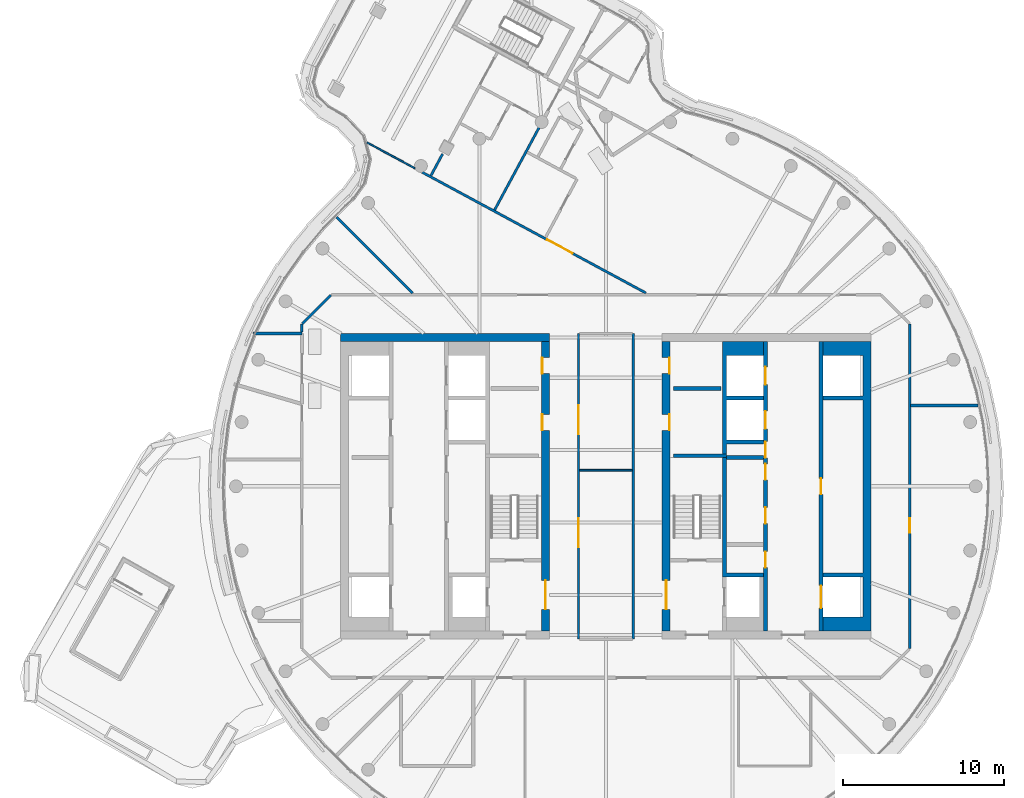
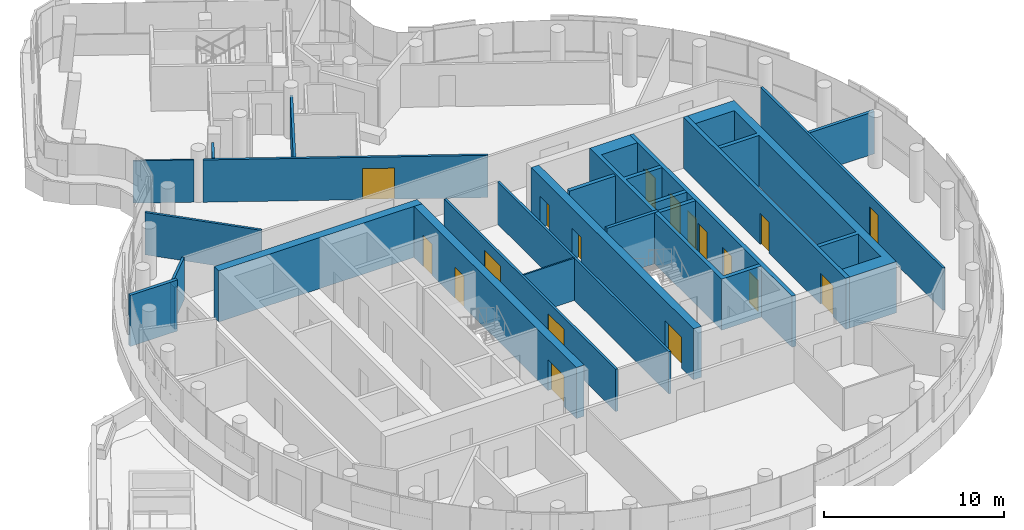
# One storey, part 15 of 22: 23 walls, 18 doors, 18 openings.
"""IFC4 building model written with IfcOpenShell, lengths in metres."""

from ifc_helpers import new_model, si_unit, direction, frame, frame_2d, origin, place, context, subcontext, project, spatial, polyline, rectangle, outline, extrude, material, layer, layer_set, type_object, element, fill, save


model = new_model("IFC4")

# Units and contexts
model_context = context("Model", 3, precision=1e-05, world=origin(), true_north=direction((0.0, 1.0)))
body_context = subcontext(model_context, "Body", "Model", "MODEL_VIEW")
ifc_project = project(units=[si_unit("LENGTHUNIT", "METRE"), si_unit("AREAUNIT", "SQUARE_METRE"), si_unit("VOLUMEUNIT", "CUBIC_METRE"), si_unit("PLANEANGLEUNIT", "RADIAN"), si_unit("MASSUNIT", "GRAM", prefix="KILO")], contexts=[model_context])

# Site, building, storey
site_placement = place(None, origin())
site = spatial("IfcSite", under=ifc_project, at=site_placement, CompositionType="ELEMENT")
building_placement = place(site_placement, origin())
building = spatial("IfcBuilding", under=site, at=building_placement, Name="Tamarind Cross Interchange Tower", CompositionType="ELEMENT")
storey_placement = place(building_placement, frame((0.0, 0.0, 256.800048828125)))
storey = spatial("IfcBuildingStorey", under=building, at=storey_placement, Name="L65", CompositionType="ELEMENT", Elevation=256.800048828125)

# Walls
ifc_material_1 = material(Name="Concrete C40", Category="concrete")
ifc_layer_1 = layer(ifc_material_1, 0.199951171875)
ifc_layer_set_1 = layer_set([ifc_layer_1], Name="Concrete C40")
wall_type_1 = type_object("IfcWallType", Name="Balcony and garden door wall", PredefinedType="SOLIDWALL", material=ifc_layer_set_1)
wall_1_placement = place(storey_placement, frame((-18.89990234375, 9.5, 0.0), z_axis=(0.0, 0.0, 1.0), x_axis=(-1.0, 0.0, 0.0)))
element("IfcWall", 1, at=wall_1_placement, inside=storey, type_object=wall_type_1, Name="EXW-L65-WG-L65-NNa-R0", PredefinedType="SOLIDWALL", context=body_context, shape_type="SweptSolid", body=[
    extrude(rectangle(XDim=3.033447265625, YDim=0.199951171875, at=frame_2d((1.5166015625, 0.0))), origin(), (0.0, 0.0, 1.0), 3.4599609375),
])
ifc_material_2 = material(Name="Concrete C50", Category="concrete")
ifc_layer_2 = layer(ifc_material_2, 0.5)
ifc_layer_set_2 = layer_set([ifc_layer_2], Name="Concrete C50")
wall_type_2 = type_object("IfcWallType", Name="Core wall 500 mm Concrete C50", PredefinedType="SHEAR", material=ifc_layer_set_2)
wall_2_placement = place(storey_placement, frame((-16.5, 9.25, 0.0), z_axis=(0.0, 0.0, 1.0), x_axis=(1.0, 0.0, 0.0)))
element("IfcWall", 2, at=wall_2_placement, inside=storey, type_object=wall_type_2, Name="Core wall CWL-L65-W-NE", PredefinedType="SHEAR", context=body_context, shape_type="SweptSolid", body=[
    extrude(rectangle(XDim=13.0, YDim=0.5, at=frame_2d((6.5, 0.0))), origin(), (0.0, 0.0, 1.0), 3.4599609375),
])

# Wall, openings, doors
wall_3_placement = place(storey_placement, frame((-3.75, -9.0, 0.0), z_axis=(0.0, 0.0, 1.0), x_axis=(0.0, 1.0, 0.0)))
wall_3 = element("IfcWall", 3, at=wall_3_placement, inside=storey, type_object=wall_type_2, Name="Core wall CWL-L65-W-IN", PredefinedType="SHEAR", context=body_context, shape_type="SweptSolid", body=[
    extrude(rectangle(XDim=18.0, YDim=0.5, at=frame_2d((9.0, 0.0))), origin(), (0.0, 0.0, 1.0), 3.4599609375),
])
opening_1_placement = place(wall_3_placement, frame((1.35009765625, 0.0, 0.0)))
opening_1 = element("IfcOpeningElement", 4, at=opening_1_placement, cuts=wall_3, Name="Opening DCW4", PredefinedType="OPENING", context=body_context, shape_type="SweptSolid", body=[
    extrude(rectangle(XDim=1.800048828125, YDim=2.10009765625, at=frame_2d((0.89990234375, 1.050048828125))), frame((0.0, 0.260009765625, 0.0), z_axis=(0.0, -1.0, 0.0), x_axis=(1.0, 0.0, 0.0)), (0.0, 0.0, 1.0), 0.52001953125),
])
opening_2_placement = place(wall_3_placement, frame((12.4775390625, 0.0, 0.0)))
opening_2 = element("IfcOpeningElement", 5, at=opening_2_placement, cuts=wall_3, Name="Opening DCW5", PredefinedType="OPENING", context=body_context, shape_type="SweptSolid", body=[
    extrude(rectangle(XDim=1.0, YDim=2.10009765625, at=frame_2d((0.5, 1.050048828125))), frame((0.0, 0.260009765625, 0.0), z_axis=(0.0, -1.0, 0.0), x_axis=(1.0, 0.0, 0.0)), (0.0, 0.0, 1.0), 0.52001953125),
])
opening_3_placement = place(wall_3_placement, frame((16.00244140625, 0.0, 0.0)))
opening_3 = element("IfcOpeningElement", 6, at=opening_3_placement, cuts=wall_3, Name="Opening DCW5", PredefinedType="OPENING", context=body_context, shape_type="SweptSolid", body=[
    extrude(rectangle(XDim=1.0, YDim=2.10009765625, at=frame_2d((0.5, 1.050048828125))), frame((0.0, 0.260009765625, 0.0), z_axis=(0.0, -1.0, 0.0), x_axis=(1.0, 0.0, 0.0)), (0.0, 0.0, 1.0), 0.52001953125),
])
ifc_material_3 = material(Name="Steel, fire-resisting", Category="steel")
door_type_1 = type_object("IfcDoorType", Name="Core fire door 1000 x 2100 FD90", OperationType="SINGLE_SWING_LEFT", PredefinedType="DOOR", material=ifc_material_3)
door_1_placement = place(opening_2_placement, origin())
door_1 = element("IfcDoor", 7, at=door_1_placement, inside=storey, type_object=door_type_1, Name="L65 housekeeping pantry door", OperationType="SINGLE_SWING_LEFT", OverallHeight=2.10009765625, OverallWidth=1.0, PredefinedType="DOOR", context=body_context, shape_type="SweptSolid", body=[
    extrude(rectangle(XDim=1.0, YDim=2.10009765625, at=frame_2d((0.5, 1.050048828125))), frame((0.0, 0.22509765625, 0.0), z_axis=(0.0, -1.0, 0.0), x_axis=(1.0, 0.0, 0.0)), (0.0, 0.0, 1.0), 0.050048828125),
])
fill(opening_2, door_1)
door_2_placement = place(opening_3_placement, origin())
door_2 = element("IfcDoor", 8, at=door_2_placement, inside=storey, type_object=door_type_1, Name="L65 linen press door", OperationType="SINGLE_SWING_LEFT", OverallHeight=2.10009765625, OverallWidth=1.0, PredefinedType="DOOR", context=body_context, shape_type="SweptSolid", body=[
    extrude(rectangle(XDim=1.0, YDim=2.10009765625, at=frame_2d((0.5, 1.050048828125))), frame((0.0, 0.22509765625, 0.0), z_axis=(0.0, -1.0, 0.0), x_axis=(1.0, 0.0, 0.0)), (0.0, 0.0, 1.0), 0.050048828125),
])
fill(opening_3, door_2)
door_type_2 = type_object("IfcDoorType", Name="Core fire door 1800 x 2100 FD90", OperationType="SINGLE_SWING_LEFT", PredefinedType="DOOR", material=ifc_material_3)
door_3_placement = place(opening_1_placement, origin())
door_3 = element("IfcDoor", 9, at=door_3_placement, inside=storey, type_object=door_type_2, Name="L65 firefighting lobby door", OperationType="SINGLE_SWING_LEFT", OverallHeight=2.10009765625, OverallWidth=1.800048828125, PredefinedType="DOOR", context=body_context, shape_type="SweptSolid", body=[
    extrude(rectangle(XDim=1.800048828125, YDim=2.10009765625, at=frame_2d((0.89990234375, 1.050048828125))), frame((0.0, 0.02490234375, 0.0), z_axis=(0.0, -1.0, 0.0), x_axis=(1.0, 0.0, 0.0)), (0.0, 0.0, 1.0), 0.050048828125),
])
fill(opening_1, door_3)

# Wall
wall_4_placement = place(storey_placement, origin())
element("IfcWall", 10, at=wall_4_placement, inside=storey, type_object=wall_type_2, Name="Core wall CWL-L65-E-A", PredefinedType="SHEAR", context=body_context, shape_type="SweptSolid", body=[
    extrude(outline(polyline([(13.5, -8.125), (13.5, -9.0), (16.0, -9.0), (16.5, -9.0), (16.5, 9.0), (16.0, 9.0), (13.5, 9.0), (13.5, 8.125), (16.0, 8.125), (16.0, 5.625), (13.5, 5.625), (13.5, 5.375), (16.0, 5.375), (16.0, -5.375), (13.5, -5.375), (13.5, -5.625), (16.0, -5.625), (16.0, -8.125), (13.5, -8.125)])), origin(), (0.0, 0.0, 1.0), 3.4599609375),
])

# Wall, openings, doors
wall_5_placement = place(storey_placement, frame((3.75, -9.0, 0.0), z_axis=(0.0, 0.0, 1.0), x_axis=(0.0, 1.0, 0.0)))
wall_5 = element("IfcWall", 11, at=wall_5_placement, inside=storey, type_object=wall_type_2, Name="Core wall CWL-L65-E-IN", PredefinedType="SHEAR", context=body_context, shape_type="SweptSolid", body=[
    extrude(rectangle(XDim=18.0, YDim=0.5, at=frame_2d((9.0, 0.0))), origin(), (0.0, 0.0, 1.0), 3.4599609375),
])
opening_4_placement = place(wall_5_placement, frame((1.35009765625, 0.0, 0.0)))
opening_4 = element("IfcOpeningElement", 12, at=opening_4_placement, cuts=wall_5, Name="Opening DCE4", PredefinedType="OPENING", context=body_context, shape_type="SweptSolid", body=[
    extrude(rectangle(XDim=1.800048828125, YDim=2.10009765625, at=frame_2d((0.89990234375, 1.050048828125))), frame((0.0, 0.260009765625, 0.0), z_axis=(0.0, -1.0, 0.0), x_axis=(1.0, 0.0, 0.0)), (0.0, 0.0, 1.0), 0.52001953125),
])
opening_5_placement = place(wall_5_placement, frame((12.4775390625, 0.0, 0.0)))
opening_5 = element("IfcOpeningElement", 13, at=opening_5_placement, cuts=wall_5, Name="Opening DCE5", PredefinedType="OPENING", context=body_context, shape_type="SweptSolid", body=[
    extrude(rectangle(XDim=1.0, YDim=2.10009765625, at=frame_2d((0.5, 1.050048828125))), frame((0.0, 0.260009765625, 0.0), z_axis=(0.0, -1.0, 0.0), x_axis=(1.0, 0.0, 0.0)), (0.0, 0.0, 1.0), 0.52001953125),
])
opening_6_placement = place(wall_5_placement, frame((16.00244140625, 0.0, 0.0)))
opening_6 = element("IfcOpeningElement", 14, at=opening_6_placement, cuts=wall_5, Name="Opening DCE5", PredefinedType="OPENING", context=body_context, shape_type="SweptSolid", body=[
    extrude(rectangle(XDim=1.0, YDim=2.10009765625, at=frame_2d((0.5, 1.050048828125))), frame((0.0, 0.260009765625, 0.0), z_axis=(0.0, -1.0, 0.0), x_axis=(1.0, 0.0, 0.0)), (0.0, 0.0, 1.0), 0.52001953125),
])
door_4_placement = place(opening_5_placement, origin())
door_4 = element("IfcDoor", 15, at=door_4_placement, inside=storey, type_object=door_type_1, Name="L65 housekeeping pantry door", OperationType="SINGLE_SWING_LEFT", OverallHeight=2.10009765625, OverallWidth=1.0, PredefinedType="DOOR", context=body_context, shape_type="SweptSolid", body=[
    extrude(rectangle(XDim=1.0, YDim=2.10009765625, at=frame_2d((0.5, 1.050048828125))), frame((0.0, -0.1748046875, 0.0), z_axis=(0.0, -1.0, 0.0), x_axis=(1.0, 0.0, 0.0)), (0.0, 0.0, 1.0), 0.050048828125),
])
fill(opening_5, door_4)
door_5_placement = place(opening_6_placement, origin())
door_5 = element("IfcDoor", 16, at=door_5_placement, inside=storey, type_object=door_type_1, Name="L65 linen press door", OperationType="SINGLE_SWING_LEFT", OverallHeight=2.10009765625, OverallWidth=1.0, PredefinedType="DOOR", context=body_context, shape_type="SweptSolid", body=[
    extrude(rectangle(XDim=1.0, YDim=2.10009765625, at=frame_2d((0.5, 1.050048828125))), frame((0.0, -0.1748046875, 0.0), z_axis=(0.0, -1.0, 0.0), x_axis=(1.0, 0.0, 0.0)), (0.0, 0.0, 1.0), 0.050048828125),
])
fill(opening_6, door_5)
door_6_placement = place(opening_4_placement, origin())
door_6 = element("IfcDoor", 17, at=door_6_placement, inside=storey, type_object=door_type_2, Name="L65 firefighting lobby door", OperationType="SINGLE_SWING_LEFT", OverallHeight=2.10009765625, OverallWidth=1.800048828125, PredefinedType="DOOR", context=body_context, shape_type="SweptSolid", body=[
    extrude(rectangle(XDim=1.800048828125, YDim=2.10009765625, at=frame_2d((0.89990234375, 1.050048828125))), frame((0.0, 0.02490234375, 0.0), z_axis=(0.0, -1.0, 0.0), x_axis=(1.0, 0.0, 0.0)), (0.0, 0.0, 1.0), 0.050048828125),
])
fill(opening_4, door_6)

# Walls
ifc_layer_3 = layer(ifc_material_2, 0.199951171875)
ifc_layer_set_3 = layer_set([ifc_layer_3], Name="Concrete C50")
wall_type_3 = type_object("IfcWallType", Name="Core web wall 200 mm Concrete C50", PredefinedType="SHEAR", material=ifc_layer_set_3)
wall_6_placement = place(storey_placement, frame((7.5, 1.89990234375, 0.0), z_axis=(0.0, 0.0, 1.0), x_axis=(-1.0, 0.0, 0.0)))
element("IfcWall", 18, at=wall_6_placement, inside=storey, type_object=wall_type_3, Name="Core wall CWL-L65-E-BD", PredefinedType="SHEAR", context=body_context, shape_type="SweptSolid", body=[
    extrude(rectangle(XDim=3.300048828125, YDim=0.199951171875, at=frame_2d((1.64990234375, 0.0))), origin(), (0.0, 0.0, 1.0), 3.4599609375),
])
ifc_layer_4 = layer(ifc_material_2, 0.25)
ifc_layer_set_4 = layer_set([ifc_layer_4], Name="Concrete C50")
wall_type_4 = type_object("IfcWallType", Name="Core web wall 250 mm Concrete C50", PredefinedType="SHEAR", material=ifc_layer_set_4)
wall_7_placement = place(storey_placement, origin())
element("IfcWall", 19, at=wall_7_placement, inside=storey, type_object=wall_type_4, Name="Core wall CWL-L65-E-BN", PredefinedType="SHEAR", context=body_context, shape_type="SweptSolid", body=[
    extrude(outline(polyline([(9.800048828125, -5.375), (7.5, -5.375), (7.5, 2.625), (9.800048828125, 2.625), (9.800048828125, 2.875), (7.5, 2.875), (7.5, 5.375), (9.800048828125, 5.375), (9.800048828125, 5.625), (7.5, 5.625), (7.5, 8.125), (9.800048828125, 8.125), (9.800048828125, 9.0), (7.5, 9.0), (7.25, 9.0), (7.25, -5.625), (7.5, -5.625), (9.800048828125, -5.625), (9.800048828125, -5.375)])), origin(), (0.0, 0.0, 1.0), 3.4599609375),
])

# Wall, openings, doors
wall_8_placement = place(storey_placement, frame((13.375, -9.0, 0.0), z_axis=(0.0, 0.0, 1.0), x_axis=(0.0, 1.0, 0.0)))
wall_8 = element("IfcWall", 20, at=wall_8_placement, inside=storey, type_object=wall_type_4, Name="Core wall CWL-L65-E-LA", PredefinedType="SHEAR", context=body_context, shape_type="SweptSolid", body=[
    extrude(rectangle(XDim=18.0, YDim=0.25, at=frame_2d((9.0, 0.0))), origin(), (0.0, 0.0, 1.0), 3.4599609375),
])
opening_7_placement = place(wall_8_placement, frame((1.425048828125, 0.0, 0.0)))
opening_7 = element("IfcOpeningElement", 21, at=opening_7_placement, cuts=wall_8, Name="Opening LD13L65", PredefinedType="OPENING", context=body_context, shape_type="SweptSolid", body=[
    extrude(rectangle(XDim=1.39990234375, YDim=2.10009765625, at=frame_2d((0.699951171875, 1.050048828125))), frame((0.0, 0.135009765625, 0.0), z_axis=(0.0, -1.0, 0.0), x_axis=(1.0, 0.0, 0.0)), (0.0, 0.0, 1.0), 0.27001953125),
])
opening_8_placement = place(wall_8_placement, frame((8.5, 0.0, 0.0)))
opening_8 = element("IfcOpeningElement", 22, at=opening_8_placement, cuts=wall_8, Name="Opening DCE9", PredefinedType="OPENING", context=body_context, shape_type="SweptSolid", body=[
    extrude(rectangle(XDim=1.0, YDim=2.10009765625, at=frame_2d((0.5, 1.050048828125))), frame((0.0, 0.135009765625, 0.0), z_axis=(0.0, -1.0, 0.0), x_axis=(1.0, 0.0, 0.0)), (0.0, 0.0, 1.0), 0.27001953125),
])
door_7_placement = place(opening_8_placement, origin())
door_7 = element("IfcDoor", 23, at=door_7_placement, inside=storey, type_object=door_type_1, Name="L65 Housekeeping pantry door", OperationType="SINGLE_SWING_LEFT", OverallHeight=2.10009765625, OverallWidth=1.0, PredefinedType="DOOR", context=body_context, shape_type="SweptSolid", body=[
    extrude(rectangle(XDim=1.0, YDim=2.10009765625, at=frame_2d((0.5, 1.050048828125))), frame((0.0, 0.02490234375, 0.0), z_axis=(0.0, -1.0, 0.0), x_axis=(1.0, 0.0, 0.0)), (0.0, 0.0, 1.0), 0.050048828125),
])
fill(opening_8, door_7)
ifc_material_4 = material(Name="Stainless steel panel", Category="steel")
door_type_3 = type_object("IfcDoorType", Name="Lift landing door 1400 x 2100 E 120", OperationType="SLIDING_TO_LEFT", PredefinedType="DOOR", material=ifc_material_4)
door_8_placement = place(opening_7_placement, origin())
door_8 = element("IfcDoor", 24, at=door_8_placement, inside=storey, type_object=door_type_3, Name="L65 landing door LF13", OperationType="SLIDING_TO_LEFT", OverallHeight=2.10009765625, OverallWidth=1.39990234375, PredefinedType="DOOR", context=body_context, shape_type="SweptSolid", body=[
    extrude(rectangle(XDim=1.39990234375, YDim=2.10009765625, at=frame_2d((0.699951171875, 1.050048828125))), frame((0.0, 0.02490234375, 0.0), z_axis=(0.0, -1.0, 0.0), x_axis=(1.0, 0.0, 0.0)), (0.0, 0.0, 1.0), 0.050048828125),
])
fill(opening_7, door_8)

wall_9_placement = place(storey_placement, frame((9.925048828125, -9.0, 0.0), z_axis=(0.0, 0.0, 1.0), x_axis=(0.0, 1.0, 0.0)))
wall_9 = element("IfcWall", 25, at=wall_9_placement, inside=storey, type_object=wall_type_4, Name="Core wall CWL-L65-E-LB", PredefinedType="SHEAR", context=body_context, shape_type="SweptSolid", body=[
    extrude(rectangle(XDim=18.0, YDim=0.25, at=frame_2d((9.0, 0.0))), origin(), (0.0, 0.0, 1.0), 3.4599609375),
])
opening_9_placement = place(wall_9_placement, frame((12.574951171875, 0.0, 0.0)))
opening_9 = element("IfcOpeningElement", 26, at=opening_9_placement, cuts=wall_9, Name="Opening LD23L65", PredefinedType="OPENING", context=body_context, shape_type="SweptSolid", body=[
    extrude(rectangle(XDim=1.10009765625, YDim=2.10009765625, at=frame_2d((0.550048828125, 1.050048828125))), frame((0.0, 0.135009765625, 0.0), z_axis=(0.0, -1.0, 0.0), x_axis=(1.0, 0.0, 0.0)), (0.0, 0.0, 1.0), 0.27001953125),
])
opening_10_placement = place(wall_9_placement, frame((15.324951171875, 0.0, 0.0)))
opening_10 = element("IfcOpeningElement", 27, at=opening_10_placement, cuts=wall_9, Name="Opening LD24L65", PredefinedType="OPENING", context=body_context, shape_type="SweptSolid", body=[
    extrude(rectangle(XDim=1.10009765625, YDim=2.10009765625, at=frame_2d((0.550048828125, 1.050048828125))), frame((0.0, 0.135009765625, 0.0), z_axis=(0.0, -1.0, 0.0), x_axis=(1.0, 0.0, 0.0)), (0.0, 0.0, 1.0), 0.27001953125),
])
opening_11_placement = place(wall_9_placement, frame((3.9375, 0.0, 0.0)))
opening_11 = element("IfcOpeningElement", 28, at=opening_11_placement, cuts=wall_9, Name="Opening DCE21", PredefinedType="OPENING", context=body_context, shape_type="SweptSolid", body=[
    extrude(rectangle(XDim=1.0, YDim=2.10009765625, at=frame_2d((0.5, 1.050048828125))), frame((0.0, 0.135009765625, 0.0), z_axis=(0.0, -1.0, 0.0), x_axis=(1.0, 0.0, 0.0)), (0.0, 0.0, 1.0), 0.27001953125),
])
opening_12_placement = place(wall_9_placement, frame((6.6875, 0.0, 0.0)))
opening_12 = element("IfcOpeningElement", 29, at=opening_12_placement, cuts=wall_9, Name="Opening DCE22", PredefinedType="OPENING", context=body_context, shape_type="SweptSolid", body=[
    extrude(rectangle(XDim=1.0, YDim=2.10009765625, at=frame_2d((0.5, 1.050048828125))), frame((0.0, 0.135009765625, 0.0), z_axis=(0.0, -1.0, 0.0), x_axis=(1.0, 0.0, 0.0)), (0.0, 0.0, 1.0), 0.27001953125),
])
opening_13_placement = place(wall_9_placement, frame((9.39599609375, 0.0, 0.0)))
opening_13 = element("IfcOpeningElement", 30, at=opening_13_placement, cuts=wall_9, Name="Opening DCE21", PredefinedType="OPENING", context=body_context, shape_type="SweptSolid", body=[
    extrude(rectangle(XDim=1.0, YDim=2.10009765625, at=frame_2d((0.5, 1.050048828125))), frame((0.0, 0.135009765625, 0.0), z_axis=(0.0, -1.0, 0.0), x_axis=(1.0, 0.0, 0.0)), (0.0, 0.0, 1.0), 0.27001953125),
])
opening_14_placement = place(wall_9_placement, frame((10.77099609375, 0.0, 0.0)))
opening_14 = element("IfcOpeningElement", 31, at=opening_14_placement, cuts=wall_9, Name="Opening DCE22", PredefinedType="OPENING", context=body_context, shape_type="SweptSolid", body=[
    extrude(rectangle(XDim=1.0, YDim=2.10009765625, at=frame_2d((0.5, 1.050048828125))), frame((0.0, 0.135009765625, 0.0), z_axis=(0.0, -1.0, 0.0), x_axis=(1.0, 0.0, 0.0)), (0.0, 0.0, 1.0), 0.27001953125),
])
door_9_placement = place(opening_11_placement, origin())
door_9 = element("IfcDoor", 32, at=door_9_placement, inside=storey, type_object=door_type_1, Name="L65 Linen press door", OperationType="SINGLE_SWING_LEFT", OverallHeight=2.10009765625, OverallWidth=1.0, PredefinedType="DOOR", context=body_context, shape_type="SweptSolid", body=[
    extrude(rectangle(XDim=1.0, YDim=2.10009765625, at=frame_2d((0.5, 1.050048828125))), frame((0.0, 0.02490234375, 0.0), z_axis=(0.0, -1.0, 0.0), x_axis=(1.0, 0.0, 0.0)), (0.0, 0.0, 1.0), 0.050048828125),
])
fill(opening_11, door_9)
door_10_placement = place(opening_12_placement, origin())
door_10 = element("IfcDoor", 33, at=door_10_placement, inside=storey, type_object=door_type_1, Name="L65 Hotel pantry door", OperationType="SINGLE_SWING_LEFT", OverallHeight=2.10009765625, OverallWidth=1.0, PredefinedType="DOOR", context=body_context, shape_type="SweptSolid", body=[
    extrude(rectangle(XDim=1.0, YDim=2.10009765625, at=frame_2d((0.5, 1.050048828125))), frame((0.0, 0.02490234375, 0.0), z_axis=(0.0, -1.0, 0.0), x_axis=(1.0, 0.0, 0.0)), (0.0, 0.0, 1.0), 0.050048828125),
])
fill(opening_12, door_10)
door_11_placement = place(opening_13_placement, origin())
door_11 = element("IfcDoor", 34, at=door_11_placement, inside=storey, type_object=door_type_1, Name="L65 Linen press door", OperationType="SINGLE_SWING_LEFT", OverallHeight=2.10009765625, OverallWidth=1.0, PredefinedType="DOOR", context=body_context, shape_type="SweptSolid", body=[
    extrude(rectangle(XDim=1.0, YDim=2.10009765625, at=frame_2d((0.5, 1.050048828125))), frame((0.0, 0.02490234375, 0.0), z_axis=(0.0, -1.0, 0.0), x_axis=(1.0, 0.0, 0.0)), (0.0, 0.0, 1.0), 0.050048828125),
])
fill(opening_13, door_11)
door_12_placement = place(opening_14_placement, origin())
door_12 = element("IfcDoor", 35, at=door_12_placement, inside=storey, type_object=door_type_1, Name="L65 Hotel pantry door", OperationType="SINGLE_SWING_LEFT", OverallHeight=2.10009765625, OverallWidth=1.0, PredefinedType="DOOR", context=body_context, shape_type="SweptSolid", body=[
    extrude(rectangle(XDim=1.0, YDim=2.10009765625, at=frame_2d((0.5, 1.050048828125))), frame((0.0, 0.02490234375, 0.0), z_axis=(0.0, -1.0, 0.0), x_axis=(1.0, 0.0, 0.0)), (0.0, 0.0, 1.0), 0.050048828125),
])
fill(opening_14, door_12)
door_type_4 = type_object("IfcDoorType", Name="Lift landing door 1100 x 2100 E 120", OperationType="SLIDING_TO_LEFT", PredefinedType="DOOR", material=ifc_material_4)
door_13_placement = place(opening_9_placement, origin())
door_13 = element("IfcDoor", 36, at=door_13_placement, inside=storey, type_object=door_type_4, Name="L65 landing door LF23", OperationType="SLIDING_TO_LEFT", OverallHeight=2.10009765625, OverallWidth=1.10009765625, PredefinedType="DOOR", context=body_context, shape_type="SweptSolid", body=[
    extrude(rectangle(XDim=1.10009765625, YDim=2.10009765625, at=frame_2d((0.550048828125, 1.050048828125))), frame((0.0, 0.02490234375, 0.0), z_axis=(0.0, -1.0, 0.0), x_axis=(1.0, 0.0, 0.0)), (0.0, 0.0, 1.0), 0.050048828125),
])
fill(opening_9, door_13)
door_14_placement = place(opening_10_placement, origin())
door_14 = element("IfcDoor", 37, at=door_14_placement, inside=storey, type_object=door_type_4, Name="L65 landing door LF24", OperationType="SLIDING_TO_LEFT", OverallHeight=2.10009765625, OverallWidth=1.10009765625, PredefinedType="DOOR", context=body_context, shape_type="SweptSolid", body=[
    extrude(rectangle(XDim=1.10009765625, YDim=2.10009765625, at=frame_2d((0.550048828125, 1.050048828125))), frame((0.0, 0.02490234375, 0.0), z_axis=(0.0, -1.0, 0.0), x_axis=(1.0, 0.0, 0.0)), (0.0, 0.0, 1.0), 0.050048828125),
])
fill(opening_10, door_14)

# Walls
ifc_material_5 = material(Name="Gypsum board partition on steel studs", Category="steel")
ifc_layer_5 = layer(ifc_material_5, 0.10009765625)
ifc_layer_set_5 = layer_set([ifc_layer_5], Name="Gypsum board partition on steel studs")
wall_type_5 = type_object("IfcWallType", Name="Partition 100 mm EI 120", PredefinedType="PARTITIONING", material=ifc_layer_set_5)
wall_10_placement = place(storey_placement, frame((-1.639892578125, 1.0, 0.0), z_axis=(0.0, 0.0, 1.0), x_axis=(1.0, 0.0, 0.0)))
element("IfcWall", 38, at=wall_10_placement, inside=storey, type_object=wall_type_5, Name="Partition L65-024", PredefinedType="PARTITIONING", context=body_context, shape_type="SweptSolid", body=[
    extrude(rectangle(XDim=3.27978515625, YDim=0.10009765625, at=frame_2d((1.639892578125, 0.0))), origin(), (0.0, 0.0, 1.0), 2.864013671875),
])
ifc_layer_6 = layer(ifc_material_5, 0.10009765625)
ifc_layer_set_6 = layer_set([ifc_layer_6], Name="Gypsum board partition on steel studs")
wall_type_6 = type_object("IfcWallType", Name="Partition 100 mm EI 90", PredefinedType="PARTITIONING", material=ifc_layer_set_6)
wall_11_placement = place(storey_placement, frame((-14.851806640625, 21.37939453125, 0.0), z_axis=(0.0, 0.0, 1.0), x_axis=(0.880026474936, -0.47492462919, 0.0)))
element("IfcWall", 39, at=wall_11_placement, inside=storey, type_object=wall_type_6, Name="Partition L65-005", PredefinedType="PARTITIONING", context=body_context, shape_type="SweptSolid", body=[
    extrude(rectangle(XDim=3.38818359375, YDim=0.10009765625, at=frame_2d((1.694091796875, 0.0))), origin(), (0.0, 0.0, 1.0), 2.864013671875),
])
ifc_layer_7 = layer(ifc_material_5, 0.14990234375)
ifc_layer_set_7 = layer_set([ifc_layer_7], Name="Gypsum board partition on steel studs")
wall_type_7 = type_object("IfcWallType", Name="Partition 150 mm EI 120", PredefinedType="PARTITIONING", material=ifc_layer_set_7)
wall_12_placement = place(storey_placement, frame((-16.740478515625, 16.740478515625, 0.0), z_axis=(0.0, 0.0, 1.0), x_axis=(0.707106781187, -0.707106781187, 0.0)))
element("IfcWall", 40, at=wall_12_placement, inside=storey, type_object=wall_type_7, Name="Partition L65-002", PredefinedType="PARTITIONING", context=body_context, shape_type="SweptSolid", body=[
    extrude(rectangle(XDim=6.690673828125, YDim=0.14990234375, at=frame_2d((3.34521484375, 0.0))), origin(), (0.0, 0.0, 1.0), 2.864013671875),
])

# Wall, opening, door
wall_13_placement = place(storey_placement, frame((-11.423583984375, 19.529052734375, 0.0), z_axis=(0.0, 0.0, 1.0), x_axis=(0.880009979756, -0.474955193181, 0.0)))
wall_13 = element("IfcWall", 41, at=wall_13_placement, inside=storey, type_object=wall_type_7, Name="Partition L65-006", PredefinedType="PARTITIONING", context=body_context, shape_type="SweptSolid", body=[
    extrude(rectangle(XDim=15.807861328125, YDim=0.14990234375, at=frame_2d((7.90380859375, 0.0))), origin(), (0.0, 0.0, 1.0), 2.864013671875),
])
opening_15_placement = place(wall_13_placement, frame((8.828857421875, 0.0, 0.0)))
opening_15 = element("IfcOpeningElement", 42, at=opening_15_placement, cuts=wall_13, Name="Opening D01", PredefinedType="OPENING", context=body_context, shape_type="SweptSolid", body=[
    extrude(rectangle(XDim=1.800048828125, YDim=2.10009765625, at=frame_2d((0.89990234375, 1.050048828125))), frame((0.0, 0.0849609375, 0.0), z_axis=(0.0, -1.0, 0.0), x_axis=(1.0, 0.0, 0.0)), (0.0, 0.0, 1.0), 0.169921875),
])
ifc_material_6 = material(Name="Fire-resisting door set")
door_type_5 = type_object("IfcDoorType", Name="Interior door 1800 x 2100 FD60S", OperationType="DOUBLE_DOOR_SINGLE_SWING", PredefinedType="DOOR", material=ifc_material_6)
door_15_placement = place(opening_15_placement, origin())
door_15 = element("IfcDoor", 43, at=door_15_placement, inside=storey, type_object=door_type_5, Name="Door D01", OperationType="DOUBLE_DOOR_SINGLE_SWING", OverallHeight=2.10009765625, OverallWidth=1.800048828125, PredefinedType="DOOR", context=body_context, shape_type="SweptSolid", body=[
    extrude(rectangle(XDim=1.800048828125, YDim=2.10009765625, at=frame_2d((0.89990234375, 1.050048828125))), frame((0.0, 0.02490234375, 0.0), z_axis=(0.0, -1.0, 0.0), x_axis=(1.0, 0.0, 0.0)), (0.0, 0.0, 1.0), 0.050048828125),
])
fill(opening_15, door_15)

# Walls
wall_14_placement = place(storey_placement, frame((-18.87158203125, 10.12841796875, 0.0), z_axis=(0.0, 0.0, 1.0), x_axis=(0.707106781187, 0.707106781187, 0.0)))
element("IfcWall", 44, at=wall_14_placement, inside=storey, type_object=wall_type_7, Name="Partition L65-027", PredefinedType="PARTITIONING", context=body_context, shape_type="SweptSolid", body=[
    extrude(rectangle(XDim=2.50537109375, YDim=0.14990234375, at=frame_2d((1.252685546875, 0.0))), origin(), (0.0, 0.0, 1.0), 2.864013671875),
])
wall_15_placement = place(storey_placement, frame((-10.8759765625, 19.324462890625, 0.0), z_axis=(0.0, 0.0, 1.0), x_axis=(0.474948327348, 0.880013685319, 0.0)))
element("IfcWall", 45, at=wall_15_placement, inside=storey, type_object=wall_type_7, Name="Partition L65-031", PredefinedType="PARTITIONING", context=body_context, shape_type="SweptSolid", body=[
    extrude(rectangle(XDim=1.526611328125, YDim=0.14990234375, at=frame_2d((0.76318359375, 0.0))), origin(), (0.0, 0.0, 1.0), 2.864013671875),
])
wall_16_placement = place(storey_placement, frame((-6.91845703125, 17.18310546875, 0.0), z_axis=(0.0, 0.0, 1.0), x_axis=(0.475010414469, 0.879980173723, 0.0)))
element("IfcWall", 46, at=wall_16_placement, inside=storey, type_object=wall_type_7, Name="Partition L65-035", PredefinedType="PARTITIONING", context=body_context, shape_type="SweptSolid", body=[
    extrude(rectangle(XDim=5.97802734375, YDim=0.14990234375, at=frame_2d((2.989013671875, 0.0))), origin(), (0.0, 0.0, 1.0), 2.864013671875),
])
wall_17_placement = place(storey_placement, frame((-18.89990234375, 9.60009765625, 0.0), z_axis=(0.0, 0.0, 1.0), x_axis=(0.0, 1.0, 0.0)))
element("IfcWall", 47, at=wall_17_placement, inside=storey, type_object=wall_type_7, Name="Partition L65-044", PredefinedType="PARTITIONING", context=body_context, shape_type="SweptSolid", body=[
    extrude(rectangle(XDim=0.5, YDim=0.14990234375, at=frame_2d((0.25, 0.0))), origin(), (0.0, 0.0, 1.0), 2.864013671875),
])

# Wall, openings, doors
wall_18_placement = place(storey_placement, frame((-1.699951171875, -9.5, 0.0), z_axis=(0.0, 0.0, 1.0), x_axis=(0.0, 1.0, 0.0)))
wall_18 = element("IfcWall", 48, at=wall_18_placement, inside=storey, type_object=wall_type_7, Name="Partition L65-048", PredefinedType="PARTITIONING", context=body_context, shape_type="SweptSolid", body=[
    extrude(rectangle(XDim=19.0, YDim=0.14990234375, at=frame_2d((9.5, 0.0))), origin(), (0.0, 0.0, 1.0), 2.864013671875),
])
opening_16_placement = place(wall_18_placement, frame((5.699951171875, 0.0, 0.0)))
opening_16 = element("IfcOpeningElement", 49, at=opening_16_placement, cuts=wall_18, Name="Opening D22", PredefinedType="OPENING", context=body_context, shape_type="SweptSolid", body=[
    extrude(rectangle(XDim=1.800048828125, YDim=2.10009765625, at=frame_2d((0.89990234375, 1.050048828125))), frame((0.0, 0.0849609375, 0.0), z_axis=(0.0, -1.0, 0.0), x_axis=(1.0, 0.0, 0.0)), (0.0, 0.0, 1.0), 0.169921875),
])
opening_17_placement = place(wall_18_placement, frame((12.75, 0.0, 0.0)))
opening_17 = element("IfcOpeningElement", 50, at=opening_17_placement, cuts=wall_18, Name="Opening D23", PredefinedType="OPENING", context=body_context, shape_type="SweptSolid", body=[
    extrude(rectangle(XDim=1.800048828125, YDim=2.10009765625, at=frame_2d((0.89990234375, 1.050048828125))), frame((0.0, 0.0849609375, 0.0), z_axis=(0.0, -1.0, 0.0), x_axis=(1.0, 0.0, 0.0)), (0.0, 0.0, 1.0), 0.169921875),
])
door_16_placement = place(opening_16_placement, frame((1.800048828125, 0.0, 0.0), z_axis=(0.0, 0.0, 1.0), x_axis=(-1.0, 0.0, 0.0)))
door_16 = element("IfcDoor", 51, at=door_16_placement, inside=storey, type_object=door_type_5, Name="Door D22", OperationType="DOUBLE_DOOR_SINGLE_SWING", OverallHeight=2.10009765625, OverallWidth=1.800048828125, PredefinedType="DOOR", context=body_context, shape_type="SweptSolid", body=[
    extrude(rectangle(XDim=1.800048828125, YDim=2.10009765625, at=frame_2d((0.89990234375, 1.050048828125))), frame((0.0, 0.02490234375, 0.0), z_axis=(0.0, -1.0, 0.0), x_axis=(1.0, 0.0, 0.0)), (0.0, 0.0, 1.0), 0.050048828125),
])
fill(opening_16, door_16)
door_17_placement = place(opening_17_placement, frame((1.800048828125, 0.0, 0.0), z_axis=(0.0, 0.0, 1.0), x_axis=(-1.0, 0.0, 0.0)))
door_17 = element("IfcDoor", 52, at=door_17_placement, inside=storey, type_object=door_type_5, Name="Door D23", OperationType="DOUBLE_DOOR_SINGLE_SWING", OverallHeight=2.10009765625, OverallWidth=1.800048828125, PredefinedType="DOOR", context=body_context, shape_type="SweptSolid", body=[
    extrude(rectangle(XDim=1.800048828125, YDim=2.10009765625, at=frame_2d((0.89990234375, 1.050048828125))), frame((0.0, 0.02490234375, 0.0), z_axis=(0.0, -1.0, 0.0), x_axis=(1.0, 0.0, 0.0)), (0.0, 0.0, 1.0), 0.050048828125),
])
fill(opening_17, door_17)

# Wall
wall_19_placement = place(storey_placement, frame((1.699951171875, -9.5, 0.0), z_axis=(0.0, 0.0, 1.0), x_axis=(0.0, 1.0, 0.0)))
element("IfcWall", 53, at=wall_19_placement, inside=storey, type_object=wall_type_7, Name="Partition L65-049", PredefinedType="PARTITIONING", context=body_context, shape_type="SweptSolid", body=[
    extrude(rectangle(XDim=19.0, YDim=0.14990234375, at=frame_2d((9.5, 0.0))), origin(), (0.0, 0.0, 1.0), 2.864013671875),
])

# Wall, opening, door
wall_20_placement = place(storey_placement, frame((18.89990234375, -10.10009765625, 0.0), z_axis=(0.0, 0.0, 1.0), x_axis=(0.0, 1.0, 0.0)))
wall_20 = element("IfcWall", 54, at=wall_20_placement, inside=storey, type_object=wall_type_7, Name="Partition L65-052", PredefinedType="PARTITIONING", context=body_context, shape_type="SweptSolid", body=[
    extrude(rectangle(XDim=20.2001953125, YDim=0.14990234375, at=frame_2d((10.10009765625, 0.0))), origin(), (0.0, 0.0, 1.0), 2.864013671875),
])
opening_18_placement = place(wall_20_placement, frame((7.199951171875, 0.0, 0.0)))
opening_18 = element("IfcOpeningElement", 55, at=opening_18_placement, cuts=wall_20, Name="Opening D24", PredefinedType="OPENING", context=body_context, shape_type="SweptSolid", body=[
    extrude(rectangle(XDim=0.89990234375, YDim=2.10009765625, at=frame_2d((0.449951171875, 1.050048828125))), frame((0.0, 0.0849609375, 0.0), z_axis=(0.0, -1.0, 0.0), x_axis=(1.0, 0.0, 0.0)), (0.0, 0.0, 1.0), 0.169921875),
])
door_type_6 = type_object("IfcDoorType", Name="Interior door 900 x 2100 FD60S", OperationType="SINGLE_SWING_LEFT", PredefinedType="DOOR", material=ifc_material_6)
door_18_placement = place(opening_18_placement, frame((0.89990234375, 0.0, 0.0), z_axis=(0.0, 0.0, 1.0), x_axis=(-1.0, 0.0, 0.0)))
door_18 = element("IfcDoor", 56, at=door_18_placement, inside=storey, type_object=door_type_6, Name="Door D24", OperationType="SINGLE_SWING_LEFT", OverallHeight=2.10009765625, OverallWidth=0.89990234375, PredefinedType="DOOR", context=body_context, shape_type="SweptSolid", body=[
    extrude(rectangle(XDim=0.89990234375, YDim=2.10009765625, at=frame_2d((0.449951171875, 1.050048828125))), frame((0.0, 0.02490234375, 0.0), z_axis=(0.0, -1.0, 0.0), x_axis=(1.0, 0.0, 0.0)), (0.0, 0.0, 1.0), 0.050048828125),
])
fill(opening_18, door_18)

# Walls
ifc_layer_8 = layer(ifc_material_5, 0.199951171875)
ifc_layer_set_8 = layer_set([ifc_layer_8], Name="Gypsum board partition on steel studs")
wall_type_8 = type_object("IfcWallType", Name="Partition 200 mm EI 180", PredefinedType="PARTITIONING", material=ifc_layer_set_8)
wall_21_placement = place(storey_placement, frame((18.955078125, 5.02197265625, 0.0), z_axis=(0.0, 0.0, 1.0), x_axis=(1.0, 0.0, 0.0)))
element("IfcWall", 57, at=wall_21_placement, inside=storey, type_object=wall_type_8, Name="Partition L65-026", PredefinedType="PARTITIONING", context=body_context, shape_type="SweptSolid", body=[
    extrude(rectangle(XDim=4.1806640625, YDim=0.199951171875, at=frame_2d((2.09033203125, 0.0))), origin(), (0.0, 0.0, 1.0), 2.864013671875),
])
ifc_layer_9 = layer(ifc_material_1, 0.25)
ifc_layer_set_9 = layer_set([ifc_layer_9], Name="Concrete C40")
wall_type_9 = type_object("IfcWallType", Name="Shaft and lobby wall 250 mm Concrete C40", PredefinedType="PARTITIONING", material=ifc_layer_set_9)
wall_22_placement = place(storey_placement, frame((7.14990234375, 6.080078125, 0.0), z_axis=(0.0, 0.0, 1.0), x_axis=(-1.0, 0.0, 0.0)))
element("IfcWall", 58, at=wall_22_placement, inside=storey, type_object=wall_type_9, Name="Shaft wall CWL-L65-E-SVP", PredefinedType="PARTITIONING", context=body_context, shape_type="SweptSolid", body=[
    extrude(rectangle(XDim=2.949951171875, YDim=0.25, at=frame_2d((1.47509765625, 0.0))), origin(), (0.0, 0.0, 1.0), 3.4599609375),
])
wall_23_placement = place(storey_placement, frame((9.800048828125, 1.7919921875, 0.0), z_axis=(0.0, 0.0, 1.0), x_axis=(-1.0, 0.0, 0.0)))
element("IfcWall", 59, at=wall_23_placement, inside=storey, type_object=wall_type_9, Name="Shaft wall CWL-L65-E-FPB3", PredefinedType="PARTITIONING", context=body_context, shape_type="SweptSolid", body=[
    extrude(rectangle(XDim=2.300048828125, YDim=0.25, at=frame_2d((1.14990234375, 0.0))), origin(), (0.0, 0.0, 1.0), 3.4599609375),
])

save(model, "model.ifc")
